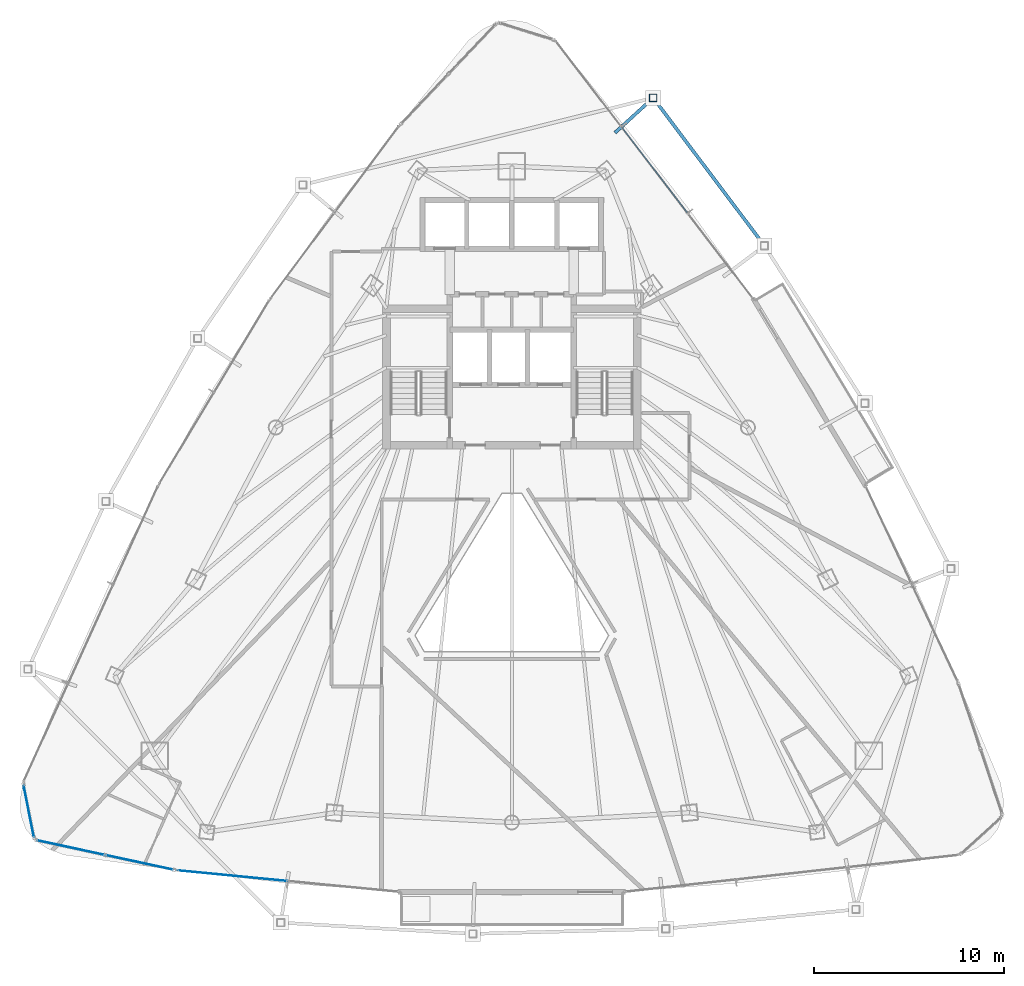
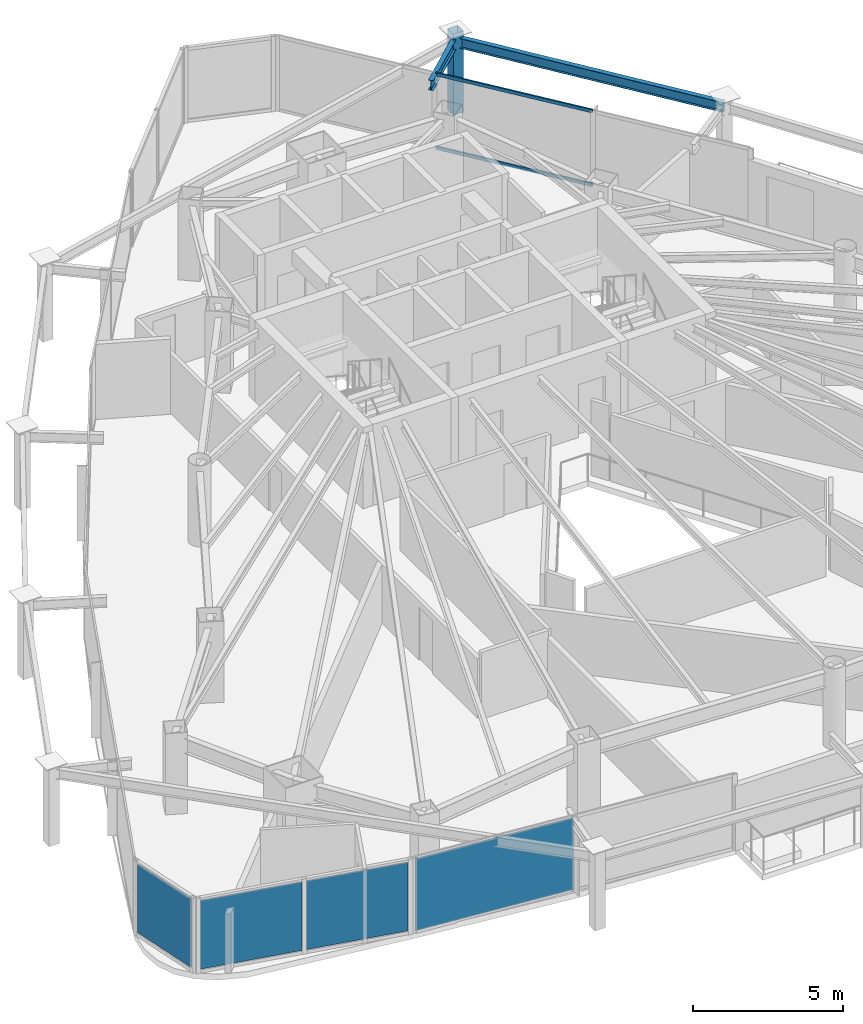
# One storey, part 25 of 31: 4 plates, 3 members, 2 beams, 4 elements without a shape of their own.
"""IFC4 building model written with IfcOpenShell, lengths in metres."""

from ifc_helpers import new_model, si_unit, direction, frame, origin, origin_2d, place, context, subcontext, project, spatial, rectangle, hollow_rectangle, i_section, extrude, material, layer, layer_set, material_profile, profile_set, type_object, element, aggregate, save


model = new_model("IFC4")

# Units and contexts
model_context = context("Model", 3, precision=1e-05, world=origin(), true_north=direction((0.0, 1.0)))
body_context = subcontext(model_context, "Body", "Model", "MODEL_VIEW")
ifc_project = project(units=[si_unit("LENGTHUNIT", "METRE"), si_unit("AREAUNIT", "SQUARE_METRE"), si_unit("VOLUMEUNIT", "CUBIC_METRE"), si_unit("PLANEANGLEUNIT", "RADIAN"), si_unit("MASSUNIT", "GRAM", prefix="KILO")], contexts=[model_context])

# Site, building, storey
site_placement = place(None, origin())
site = spatial("IfcSite", under=ifc_project, at=site_placement, CompositionType="ELEMENT")
building_placement = place(site_placement, origin())
building = spatial("IfcBuilding", under=site, at=building_placement, Name="Orvanel Arch Residences", CompositionType="ELEMENT")
storey_placement = place(building_placement, frame((0.0, 0.0, 133.10009765625)))
storey = spatial("IfcBuildingStorey", under=building, at=storey_placement, Name="L37", CompositionType="ELEMENT", Elevation=133.10009765625)

# Beams
ifc_material_1 = material(Name="Structural steel AS/NZS 3679.1 Grade 300 (300 MPa)", Category="steel")
ifc_material_profile_1 = material_profile(ifc_material_1, i_section(OverallWidth=0.177978515625, OverallDepth=0.406005859375, WebThickness=0.0078125, FlangeThickness=0.0126953125, at=origin_2d()), Name="410UB59.7")
ifc_profile_set_1 = profile_set([ifc_material_profile_1], Name="Structural steel AS/NZS 3679.1 Grade 300 (300 MPa)")
beam_type = type_object("IfcBeamType", Name="OB-410UB-EXT", PredefinedType="SPANDREL", material=ifc_profile_set_1)
beam_1_placement = place(storey_placement, frame((46.300048828125, 37.208984375, 2.85693359375), z_axis=(-0.601138021359, 0.79914521789, 0.0), x_axis=(-0.79914521789, -0.601138021359, 0.0)))
element("IfcBeam", 1, at=beam_1_placement, inside=storey, type_object=beam_type, Name="L37 Outer Perimeter Floor Ring Beam 11", PredefinedType="SPANDREL", context=body_context, shape_type="SweptSolid", body=[
    extrude(i_section(OverallWidth=0.177978515625, OverallDepth=0.406005859375, WebThickness=0.0078125, FlangeThickness=0.0126953125, at=origin_2d()), origin(), (0.0, 0.0, 1.0), 9.7431640625),
])
beam_2_placement = place(storey_placement, frame((38.430908203125, 43.156982421875, 2.85693359375), z_axis=(0.738320625682, 0.674449889682, 0.0), x_axis=(-0.674449889682, 0.738320625682, 0.0)))
element("IfcBeam", 2, at=beam_2_placement, inside=storey, type_object=beam_type, Name="L37 Outer Frame Radial Tie Beam 12", PredefinedType="SPANDREL", context=body_context, shape_type="SweptSolid", body=[
    extrude(i_section(OverallWidth=0.177978515625, OverallDepth=0.406005859375, WebThickness=0.0078125, FlangeThickness=0.0126953125, at=origin_2d()), origin(), (0.0, 0.0, 1.0), 2.725341796875),
])

# Member
ifc_material_2 = material(Name="Structural steel AS/NZS 1163 C450L0 (Grade 450)", Category="steel")
ifc_material_profile_2 = material_profile(ifc_material_2, hollow_rectangle(XDim=0.39990234375, YDim=0.39990234375, WallThickness=0.01611328125, at=origin_2d()), Name="SHS400x400x16")
ifc_profile_set_2 = profile_set([ifc_material_profile_2], Name="Structural steel AS/NZS 1163 C450L0 (Grade 450)")
member_type_1 = type_object("IfcMemberType", Name="ST-400SHS-EXT", PredefinedType="STRUT", material=ifc_profile_set_2)
member_1_placement = place(storey_placement, frame((40.443115234375, 44.9951171875, 0.0), z_axis=(0.0, 0.0, 1.0), x_axis=(1.0, 0.0, 0.0)))
element("IfcMember", 3, at=member_1_placement, inside=storey, type_object=member_type_1, Name="L37 Outer Perimeter Frame Post 12", PredefinedType="STRUT", context=body_context, shape_type="SweptSolid", body=[
    extrude(hollow_rectangle(XDim=0.39990234375, YDim=0.39990234375, WallThickness=0.01611328125, at=origin_2d()), origin(), (0.0, 0.0, 1.0), 3.2998046875),
])

# Curtain wall, members
ifc_material_3 = material(Name="Bronze-anodised aluminium AA6063-T6", Category="aluminium")
ifc_layer_1 = layer(ifc_material_3, 0.179931640625)
ifc_layer_set_1 = layer_set([ifc_layer_1], Name="Bronze-anodised aluminium AA6063-T6")
curtain_wall_type_1 = type_object("IfcCurtainWallType", Name="CW3-MID-SYS", PredefinedType="NOTDEFINED", material=ifc_layer_set_1)
curtain_wall_1_placement = place(storey_placement, origin())
curtain_wall_1 = element("IfcCurtainWall", 4, at=curtain_wall_1_placement, inside=storey, type_object=curtain_wall_type_1, Name="L37 CW3-MID-SYS Unitised Curtain Wall", PredefinedType="NOTDEFINED")
ifc_material_profile_3 = material_profile(ifc_material_3, hollow_rectangle(XDim=0.06005859375, YDim=0.135009765625, WallThickness=0.00390625, at=origin_2d()), Name="ALU135x60x4")
ifc_profile_set_3 = profile_set([ifc_material_profile_3], Name="Bronze-anodised aluminium AA6063-T6")
member_type_2 = type_object("IfcMemberType", Name="TRN-135x60", PredefinedType="USERDEFINED", material=ifc_profile_set_3)
member_2_placement = place(storey_placement, frame((42.231689453125, 38.95849609375, 0.02978515625), z_axis=(-0.60833632632, 0.793679352182, 0.0), x_axis=(-0.793679352182, -0.60833632632, 0.0)))
member_2 = element("IfcMember", 5, at=member_2_placement, type_object=member_type_2, Name="CW-S3 transom 2.1", ObjectType="TRANSOM", PredefinedType="USERDEFINED", context=body_context, shape_type="SweptSolid", body=[
    extrude(hollow_rectangle(XDim=0.06005859375, YDim=0.135009765625, WallThickness=0.00390625, at=origin_2d()), origin(), (0.0, 0.0, 1.0), 5.65234375),
])
member_3_placement = place(storey_placement, frame((42.231689453125, 38.95849609375, 3.02978515625), z_axis=(-0.60833632632, 0.793679352182, 0.0), x_axis=(-0.793679352182, -0.60833632632, 0.0)))
member_3 = element("IfcMember", 6, at=member_3_placement, type_object=member_type_2, Name="CW-S3 transom 2.2", ObjectType="TRANSOM", PredefinedType="USERDEFINED", context=body_context, shape_type="SweptSolid", body=[
    extrude(hollow_rectangle(XDim=0.06005859375, YDim=0.135009765625, WallThickness=0.00390625, at=origin_2d()), origin(), (0.0, 0.0, 1.0), 5.65234375),
])
aggregate(curtain_wall_1, [member_2, member_3])

# Curtain wall, plate
curtain_wall_2_placement = place(storey_placement, origin())
curtain_wall_2 = element("IfcCurtainWall", 7, at=curtain_wall_2_placement, inside=storey, type_object=curtain_wall_type_1, Name="L37 CW3-MID-SYS Unitised Curtain Wall", PredefinedType="NOTDEFINED")
ifc_material_4 = material(Name="Double-glazed solar-control low-E safety glass", Category="glass")
ifc_layer_2 = layer(ifc_material_4, 0.028076171875)
ifc_layer_set_2 = layer_set([ifc_layer_2], Name="Double-glazed solar-control low-E safety glass")
plate_type_1 = type_object("IfcPlateType", Name="PNL-GLZ-28", PredefinedType="CURTAIN_PANEL", material=ifc_layer_set_2)
plate_1_placement = place(storey_placement, frame((18.290771484375, 4.038818359375, 0.059814453125), z_axis=(0.0, 0.0, 1.0), x_axis=(0.995341887649, -0.096408125648, 0.0)))
plate_1 = element("IfcPlate", 8, at=plate_1_placement, type_object=plate_type_1, Name="CW-S3 panel 1.1", PredefinedType="CURTAIN_PANEL", context=body_context, shape_type="SweptSolid", body=[
    extrude(rectangle(XDim=5.796875, YDim=0.028076171875, at=origin_2d()), origin(), (0.0, 0.0, 1.0), 2.93994140625),
])
aggregate(curtain_wall_2, [plate_1])

ifc_layer_3 = layer(ifc_material_3, 0.18994140625)
ifc_layer_set_3 = layer_set([ifc_layer_3], Name="Bronze-anodised aluminium AA6063-T6")
curtain_wall_type_2 = type_object("IfcCurtainWallType", Name="CW5-CRN-SYS", PredefinedType="NOTDEFINED", material=ifc_layer_set_3)
curtain_wall_3_placement = place(storey_placement, origin())
curtain_wall_3 = element("IfcCurtainWall", 9, at=curtain_wall_3_placement, inside=storey, type_object=curtain_wall_type_2, Name="L37 CW5-CRN-SYS Unitised Curtain Wall", PredefinedType="NOTDEFINED")
ifc_layer_4 = layer(ifc_material_4, 0.031982421875)
ifc_layer_set_4 = layer_set([ifc_layer_4], Name="Double-glazed solar-control low-E safety glass")
plate_type_2 = type_object("IfcPlateType", Name="PNL-GLZ-32", PredefinedType="CURTAIN_PANEL", material=ifc_layer_set_4)
plate_2_placement = place(storey_placement, frame((7.569091796875, 7.431396484375, 0.1298828125), z_axis=(0.0, 0.0, 1.0), x_axis=(0.195798105544, -0.980644227977, 0.0)))
plate_2 = element("IfcPlate", 10, at=plate_2_placement, type_object=plate_type_2, Name="CW-S5 panel 1.1", PredefinedType="CURTAIN_PANEL", context=body_context, shape_type="SweptSolid", body=[
    extrude(rectangle(XDim=2.7236328125, YDim=0.031982421875, at=origin_2d()), origin(), (0.0, 0.0, 1.0), 2.800048828125),
])
aggregate(curtain_wall_3, [plate_2])

# Curtain wall, plates
curtain_wall_4_placement = place(storey_placement, origin())
curtain_wall_4 = element("IfcCurtainWall", 11, at=curtain_wall_4_placement, inside=storey, type_object=curtain_wall_type_2, Name="L37 CW5-CRN-SYS Unitised Curtain Wall", PredefinedType="NOTDEFINED")
plate_3_placement = place(storey_placement, frame((9.77734375, 5.5185546875, 0.1298828125), z_axis=(0.0, 0.0, 1.0), x_axis=(0.977618546728, -0.210385306266, 0.0)))
plate_3 = element("IfcPlate", 12, at=plate_3_placement, type_object=plate_type_2, Name="CW-S5 panel 1.1", PredefinedType="CURTAIN_PANEL", context=body_context, shape_type="SweptSolid", body=[
    extrude(rectangle(XDim=3.563232421875, YDim=0.031982421875, at=origin_2d()), origin(), (0.0, 0.0, 1.0), 2.800048828125),
])
plate_4_placement = place(storey_placement, frame((13.407470703125, 4.7373046875, 0.1298828125), z_axis=(0.0, 0.0, 1.0), x_axis=(0.977618546728, -0.210385306266, 0.0)))
plate_4 = element("IfcPlate", 13, at=plate_4_placement, type_object=plate_type_2, Name="CW-S5 panel 2.1", PredefinedType="CURTAIN_PANEL", context=body_context, shape_type="SweptSolid", body=[
    extrude(rectangle(XDim=3.563232421875, YDim=0.031982421875, at=origin_2d()), origin(), (0.0, 0.0, 1.0), 2.800048828125),
])
aggregate(curtain_wall_4, [plate_3, plate_4])

save(model, "model.ifc")
